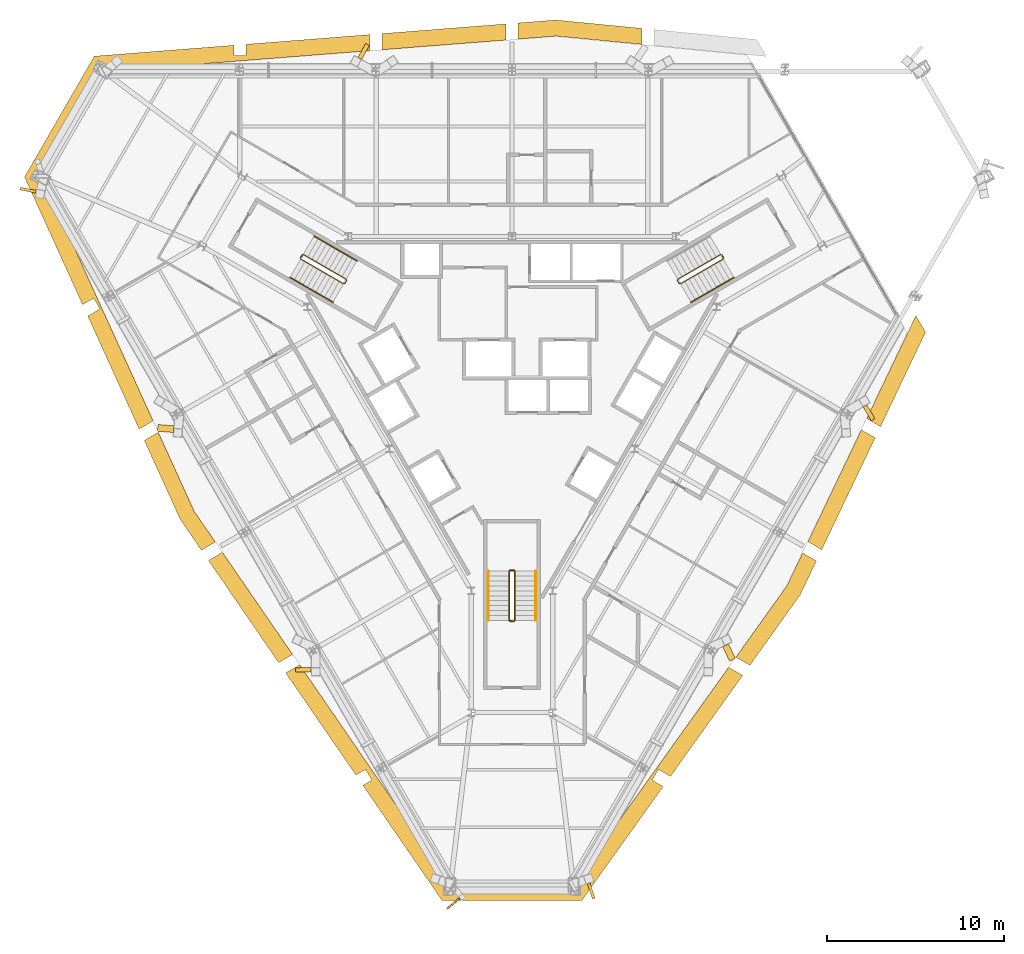
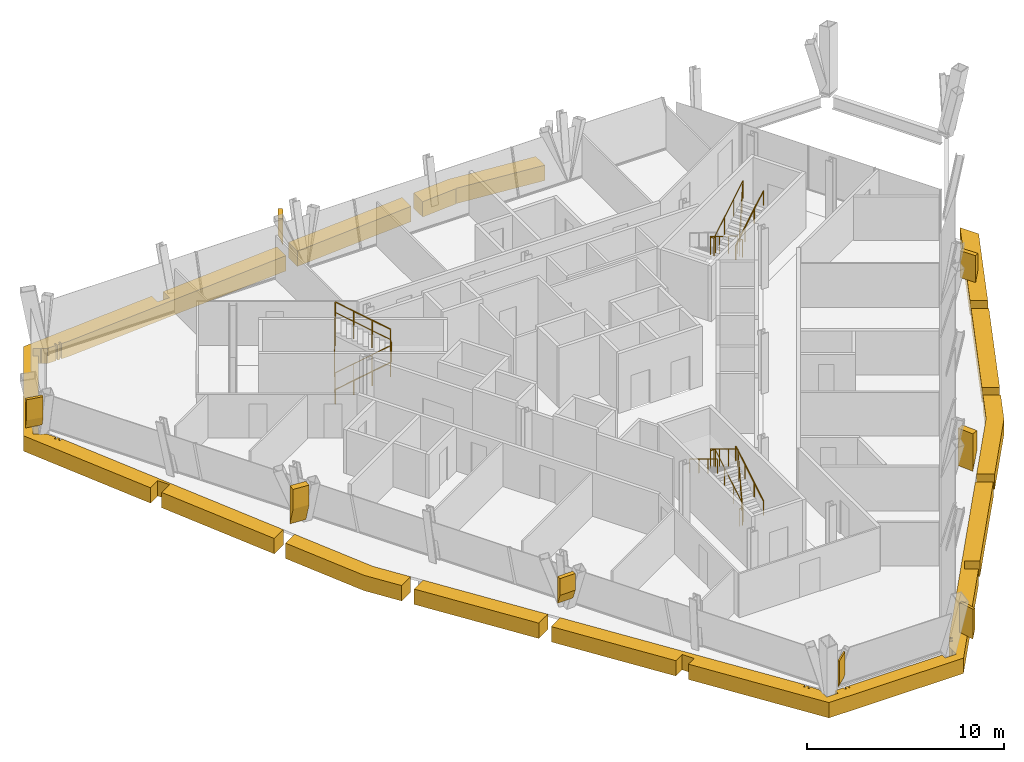
# One storey, part 11 of 12: 17 coverings, 8 railings.
"""IFC4 building model written with IfcOpenShell, lengths in metres."""

from ifc_helpers import new_model, si_unit, direction, frame, origin, origin_2d, place, context, subcontext, project, spatial, polyline, circle, outline, extrude, material, layer, layer_set, type_object, element, save


model = new_model("IFC4")

# Units and contexts
model_context = context("Model", 3, precision=1e-05, world=origin(), true_north=direction((0.0, 1.0)))
body_context = subcontext(model_context, "Body", "Model", "MODEL_VIEW")
ifc_project = project(units=[si_unit("LENGTHUNIT", "METRE"), si_unit("AREAUNIT", "SQUARE_METRE"), si_unit("VOLUMEUNIT", "CUBIC_METRE"), si_unit("PLANEANGLEUNIT", "RADIAN"), si_unit("MASSUNIT", "GRAM", prefix="KILO")], contexts=[model_context])

# Site, building, storey
site_placement = place(None, origin())
site = spatial("IfcSite", under=ifc_project, at=site_placement, CompositionType="ELEMENT")
building_placement = place(site_placement, origin())
building = spatial("IfcBuilding", under=site, at=building_placement, Name="Verrane Prism Tower", CompositionType="ELEMENT")
storey_placement = place(building_placement, frame((0.0, 0.0, 174.699951171875)))
storey = spatial("IfcBuildingStorey", under=building, at=storey_placement, Name="L43", CompositionType="ELEMENT", Elevation=174.699951171875)

# Railings
ifc_material_1 = material(Name="Steel A36 rail and posts, no infill", Category="steel")
railing_type_1 = type_object("IfcRailingType", Name="Stair guard 1100 steel rail and posts", PredefinedType="GUARDRAIL", material=ifc_material_1)
railing_1_placement = place(storey_placement, frame((11.78955078125, 6.97998046875, 0.168212890625)))
element("IfcRailing", 1, at=railing_1_placement, inside=storey, type_object=railing_type_1, Name="Stair 1 guard", PredefinedType="GUARDRAIL", context=body_context, shape_type="SweptSolid", body=[
    extrude(circle(Radius=0.02392578125, at=origin_2d()), frame((0.0, 0.0, 1.076171875), z_axis=(-0.742366697286, -0.42866220388, 0.514917859203), x_axis=(0.500049511043, -0.865996816683, 0.0)), (0.0, 0.0, 1.0), 3.266357421875),
    extrude(circle(Radius=0.02392578125, at=origin_2d()), frame((-2.4248046875, -1.400146484375, 2.7578125), z_axis=(-0.259601060869, -0.965715946433, 0.0), x_axis=(0.965715946433, -0.259601060869, 0.0)), (0.0, 0.0, 1.0), 0.070556640625),
    extrude(circle(Radius=0.02392578125, at=origin_2d()), frame((-2.443115234375, -1.46826171875, 2.7578125), z_axis=(0.499158860599, -0.866510491504, 0.0), x_axis=(0.866510491504, 0.499158860599, 0.0)), (0.0, 0.0, 1.0), 0.199951171875),
    extrude(circle(Radius=0.02392578125, at=origin_2d()), frame((-2.34326171875, -1.6416015625, 2.7578125), z_axis=(0.374585375571, -0.100335368456, 0.921747584887), x_axis=(0.258736085224, 0.965948051503, 0.0)), (0.0, 0.0, 1.0), 0.182373046875),
    extrude(circle(Radius=0.02392578125, at=origin_2d()), frame((-2.27490234375, -1.659912109375, 2.92626953125), z_axis=(0.742395268701, 0.428678701772, 0.514862928999), x_axis=(-0.500049511043, 0.865996816683, 0.0)), (0.0, 0.0, 1.0), 3.26611328125),
    extrude(circle(Radius=0.02392578125, at=origin_2d()), frame((0.14990234375, -0.259765625, 4.60791015625), z_axis=(-0.021986835041, 0.065104730107, -0.997636182785), x_axis=(-0.947430582667, -0.3199613899, 0.0)), (0.0, 0.0, 1.0), 3.708740234375),
    extrude(circle(Radius=0.02392578125, at=origin_2d()), frame((0.068359375, -0.018310546875, 0.90771484375), z_axis=(0.499158860599, -0.866510491504, 0.0), x_axis=(0.866510491504, 0.499158860599, 0.0)), (0.0, 0.0, 1.0), 0.199951171875),
    extrude(circle(Radius=0.02099609375, at=origin_2d()), origin(), (0.0, 0.0, 1.0), 1.052001953125),
    extrude(circle(Radius=0.02099609375, at=origin_2d()), frame((-0.808349609375, -0.466796875, 0.560546875)), (0.0, 0.0, 1.0), 1.052001953125),
    extrude(circle(Radius=0.02099609375, at=origin_2d()), frame((-1.616455078125, -0.933349609375, 1.121337890625)), (0.0, 0.0, 1.0), 1.052001953125),
    extrude(circle(Radius=0.02099609375, at=origin_2d()), frame((-2.4248046875, -1.400146484375, 1.681884765625)), (0.0, 0.0, 1.0), 1.052001953125),
    extrude(circle(Radius=0.02099609375, at=origin_2d()), frame((-2.443115234375, -1.46826171875, 1.681884765625)), (0.0, 0.0, 1.0), 1.052001953125),
    extrude(circle(Radius=0.02099609375, at=origin_2d()), frame((-2.34326171875, -1.6416015625, 1.681884765625)), (0.0, 0.0, 1.0), 1.052001953125),
    extrude(circle(Radius=0.02099609375, at=origin_2d()), frame((-2.27490234375, -1.659912109375, 1.85009765625)), (0.0, 0.0, 1.0), 1.052001953125),
    extrude(circle(Radius=0.02099609375, at=origin_2d()), frame((-1.466552734375, -1.193115234375, 2.41064453125)), (0.0, 0.0, 1.0), 1.052001953125),
    extrude(circle(Radius=0.02099609375, at=origin_2d()), frame((-0.658447265625, -0.7265625, 2.97119140625)), (0.0, 0.0, 1.0), 1.052001953125),
    extrude(circle(Radius=0.02099609375, at=origin_2d()), frame((0.14990234375, -0.259765625, 3.53173828125)), (0.0, 0.0, 1.0), 1.052001953125),
    extrude(circle(Radius=0.02099609375, at=origin_2d()), frame((0.12939453125, -0.199462890625, 2.606689453125)), (0.0, 0.0, 1.0), 1.052001953125),
    extrude(circle(Radius=0.02099609375, at=origin_2d()), frame((0.109130859375, -0.13916015625, 1.681640625)), (0.0, 0.0, 1.0), 1.052001953125),
    extrude(circle(Radius=0.02099609375, at=origin_2d()), frame((0.0888671875, -0.07861328125, 0.7568359375)), (0.0, 0.0, 1.0), 1.052001953125),
    extrude(circle(Radius=0.02099609375, at=origin_2d()), frame((0.068359375, -0.018310546875, -0.168212890625)), (0.0, 0.0, 1.0), 1.052001953125),
    extrude(circle(Radius=0.02099609375, at=origin_2d()), frame((0.168212890625, -0.191650390625, -0.168212890625)), (0.0, 0.0, 1.0), 1.052001953125),
])
railing_2_placement = place(storey_placement, frame((-11.939453125, 6.72021484375, 0.168212890625)))
element("IfcRailing", 2, at=railing_2_placement, inside=storey, type_object=railing_type_1, Name="Stair 2 guard", PredefinedType="GUARDRAIL", context=body_context, shape_type="SweptSolid", body=[
    extrude(circle(Radius=0.02392578125, at=origin_2d()), frame((0.0, 0.0, 1.076171875), z_axis=(0.742366697286, -0.42866220388, 0.514917859203), x_axis=(0.500049511043, 0.865996816683, 0.0)), (0.0, 0.0, 1.0), 3.266357421875),
    extrude(circle(Radius=0.02392578125, at=origin_2d()), frame((2.4248046875, -1.400146484375, 2.7578125), z_axis=(0.965948051503, 0.258736085224, 0.0), x_axis=(-0.258736085224, 0.965948051503, 0.0)), (0.0, 0.0, 1.0), 0.07080078125),
    extrude(circle(Radius=0.02392578125, at=origin_2d()), frame((2.4931640625, -1.3818359375, 2.7578125), z_axis=(0.499158860599, 0.866510491504, 0.0), x_axis=(-0.866510491504, 0.499158860599, 0.0)), (0.0, 0.0, 1.0), 0.199951171875),
    extrude(circle(Radius=0.02392578125, at=origin_2d()), frame((2.593017578125, -1.20849609375, 2.7578125), z_axis=(-0.100385596638, 0.373434419493, 0.922209014446), x_axis=(-0.965715946433, -0.259601060869, 0.0)), (0.0, 0.0, 1.0), 0.182373046875),
    extrude(circle(Radius=0.02392578125, at=origin_2d()), frame((2.57470703125, -1.140380859375, 2.92626953125), z_axis=(-0.742395268701, 0.428678701772, 0.514862928999), x_axis=(-0.500049511043, -0.865996816683, 0.0)), (0.0, 0.0, 1.0), 3.26611328125),
    extrude(circle(Radius=0.02392578125, at=origin_2d()), frame((0.14990234375, 0.259765625, 4.60791015625), z_axis=(-0.04535595117, -0.051675503147, -0.99763343973), x_axis=(0.751567565678, -0.659656118156, 0.0)), (0.0, 0.0, 1.0), 3.708740234375),
    extrude(circle(Radius=0.02392578125, at=origin_2d()), frame((-0.018310546875, 0.068115234375, 0.90771484375), z_axis=(0.499158860599, 0.866510491504, 0.0), x_axis=(-0.866510491504, 0.499158860599, 0.0)), (0.0, 0.0, 1.0), 0.199951171875),
    extrude(circle(Radius=0.02099609375, at=origin_2d()), origin(), (0.0, 0.0, 1.0), 1.052001953125),
    extrude(circle(Radius=0.02099609375, at=origin_2d()), frame((0.808349609375, -0.466796875, 0.560546875)), (0.0, 0.0, 1.0), 1.052001953125),
    extrude(circle(Radius=0.02099609375, at=origin_2d()), frame((1.616455078125, -0.933349609375, 1.121337890625)), (0.0, 0.0, 1.0), 1.052001953125),
    extrude(circle(Radius=0.02099609375, at=origin_2d()), frame((2.4248046875, -1.400146484375, 1.681884765625)), (0.0, 0.0, 1.0), 1.052001953125),
    extrude(circle(Radius=0.02099609375, at=origin_2d()), frame((2.4931640625, -1.3818359375, 1.681884765625)), (0.0, 0.0, 1.0), 1.052001953125),
    extrude(circle(Radius=0.02099609375, at=origin_2d()), frame((2.593017578125, -1.20849609375, 1.681884765625)), (0.0, 0.0, 1.0), 1.052001953125),
    extrude(circle(Radius=0.02099609375, at=origin_2d()), frame((2.57470703125, -1.140380859375, 1.85009765625)), (0.0, 0.0, 1.0), 1.052001953125),
    extrude(circle(Radius=0.02099609375, at=origin_2d()), frame((1.766357421875, -0.673583984375, 2.41064453125)), (0.0, 0.0, 1.0), 1.052001953125),
    extrude(circle(Radius=0.02099609375, at=origin_2d()), frame((0.958251953125, -0.20703125, 2.97119140625)), (0.0, 0.0, 1.0), 1.052001953125),
    extrude(circle(Radius=0.02099609375, at=origin_2d()), frame((0.14990234375, 0.259765625, 3.53173828125)), (0.0, 0.0, 1.0), 1.052001953125),
    extrude(circle(Radius=0.02099609375, at=origin_2d()), frame((0.10791015625, 0.2119140625, 2.606689453125)), (0.0, 0.0, 1.0), 1.052001953125),
    extrude(circle(Radius=0.02099609375, at=origin_2d()), frame((0.06591796875, 0.1640625, 1.681640625)), (0.0, 0.0, 1.0), 1.052001953125),
    extrude(circle(Radius=0.02099609375, at=origin_2d()), frame((0.023681640625, 0.115966796875, 0.7568359375)), (0.0, 0.0, 1.0), 1.052001953125),
    extrude(circle(Radius=0.02099609375, at=origin_2d()), frame((-0.018310546875, 0.068115234375, -0.168212890625)), (0.0, 0.0, 1.0), 1.052001953125),
    extrude(circle(Radius=0.02099609375, at=origin_2d()), frame((0.08154296875, 0.241455078125, -0.168212890625)), (0.0, 0.0, 1.0), 1.052001953125),
])
railing_3_placement = place(storey_placement, frame((0.14990234375, -13.699951171875, 0.168212890625)))
element("IfcRailing", 3, at=railing_3_placement, inside=storey, type_object=railing_type_1, Name="Stair 3 guard", PredefinedType="GUARDRAIL", context=body_context, shape_type="SweptSolid", body=[
    extrude(circle(Radius=0.02392578125, at=origin_2d()), frame((0.0, 0.0, 1.076171875), z_axis=(0.0, 0.857242210791, 0.514913383045), x_axis=(-1.0, 0.0, 0.0)), (0.0, 0.0, 1.0), 3.266357421875),
    extrude(circle(Radius=0.02392578125, at=origin_2d()), frame((0.0, 2.800048828125, 2.7578125), z_axis=(-0.707106781187, 0.707106781187, 0.0), x_axis=(-0.707106781187, -0.707106781187, 0.0)), (0.0, 0.0, 1.0), 0.0703125),
    extrude(circle(Radius=0.02392578125, at=origin_2d()), frame((-0.0498046875, 2.849853515625, 2.7578125), z_axis=(-1.0, 0.0, 0.0), x_axis=(0.0, -1.0, 0.0)), (0.0, 0.0, 1.0), 0.2001953125),
    extrude(circle(Radius=0.02392578125, at=origin_2d()), frame((-0.25, 2.849853515625, 2.7578125), z_axis=(-0.273106073848, -0.273106073848, 0.922402376869), x_axis=(0.707106781187, -0.707106781187, 0.0)), (0.0, 0.0, 1.0), 0.182373046875),
    extrude(circle(Radius=0.02392578125, at=origin_2d()), frame((-0.2998046875, 2.800048828125, 2.92626953125), z_axis=(0.0, -0.857275202839, 0.514858452973), x_axis=(1.0, 0.0, 0.0)), (0.0, 0.0, 1.0), 3.26611328125),
    extrude(circle(Radius=0.02392578125, at=origin_2d()), frame((-0.2998046875, 0.0, 4.60791015625), z_axis=(0.067408604812, -0.013494886706, -0.997634185476), x_axis=(0.196300278283, 0.98054382908, 0.0)), (0.0, 0.0, 1.0), 3.708740234375),
    extrude(circle(Radius=0.02392578125, at=origin_2d()), frame((-0.0498046875, -0.050048828125, 0.90771484375), z_axis=(-1.0, 0.0, 0.0), x_axis=(0.0, -1.0, 0.0)), (0.0, 0.0, 1.0), 0.2001953125),
    extrude(circle(Radius=0.02099609375, at=origin_2d()), origin(), (0.0, 0.0, 1.0), 1.052001953125),
    extrude(circle(Radius=0.02099609375, at=origin_2d()), frame((0.0, 0.933349609375, 0.560546875)), (0.0, 0.0, 1.0), 1.052001953125),
    extrude(circle(Radius=0.02099609375, at=origin_2d()), frame((0.0, 1.86669921875, 1.121337890625)), (0.0, 0.0, 1.0), 1.052001953125),
    extrude(circle(Radius=0.02099609375, at=origin_2d()), frame((0.0, 2.800048828125, 1.681884765625)), (0.0, 0.0, 1.0), 1.052001953125),
    extrude(circle(Radius=0.02099609375, at=origin_2d()), frame((-0.0498046875, 2.849853515625, 1.681884765625)), (0.0, 0.0, 1.0), 1.052001953125),
    extrude(circle(Radius=0.02099609375, at=origin_2d()), frame((-0.25, 2.849853515625, 1.681884765625)), (0.0, 0.0, 1.0), 1.052001953125),
    extrude(circle(Radius=0.02099609375, at=origin_2d()), frame((-0.2998046875, 2.800048828125, 1.85009765625)), (0.0, 0.0, 1.0), 1.052001953125),
    extrude(circle(Radius=0.02099609375, at=origin_2d()), frame((-0.2998046875, 1.86669921875, 2.41064453125)), (0.0, 0.0, 1.0), 1.052001953125),
    extrude(circle(Radius=0.02099609375, at=origin_2d()), frame((-0.2998046875, 0.933349609375, 2.97119140625)), (0.0, 0.0, 1.0), 1.052001953125),
    extrude(circle(Radius=0.02099609375, at=origin_2d()), frame((-0.2998046875, 0.0, 3.53173828125)), (0.0, 0.0, 1.0), 1.052001953125),
    extrude(circle(Radius=0.02099609375, at=origin_2d()), frame((-0.2373046875, -0.012451171875, 2.606689453125)), (0.0, 0.0, 1.0), 1.052001953125),
    extrude(circle(Radius=0.02099609375, at=origin_2d()), frame((-0.1748046875, -0.02490234375, 1.681640625)), (0.0, 0.0, 1.0), 1.052001953125),
    extrude(circle(Radius=0.02099609375, at=origin_2d()), frame((-0.1123046875, -0.03759765625, 0.7568359375)), (0.0, 0.0, 1.0), 1.052001953125),
    extrude(circle(Radius=0.02099609375, at=origin_2d()), frame((-0.0498046875, -0.050048828125, -0.168212890625)), (0.0, 0.0, 1.0), 1.052001953125),
    extrude(circle(Radius=0.02099609375, at=origin_2d()), frame((-0.25, -0.050048828125, -0.168212890625)), (0.0, 0.0, 1.0), 1.052001953125),
])
ifc_material_2 = material(Name="Steel A36 tube", Category="steel")
railing_type_2 = type_object("IfcRailingType", Name="Stair handrail 900 steel tube", PredefinedType="HANDRAIL", material=ifc_material_2)
railing_4_placement = place(storey_placement, frame((10.11474609375, 4.28076171875, 2.018310546875)))
element("IfcRailing", 4, at=railing_4_placement, inside=storey, type_object=railing_type_2, Name="Stair 1 handrail", PredefinedType="HANDRAIL", context=body_context, shape_type="SweptSolid", body=[
    extrude(circle(Radius=0.02392578125, at=origin_2d()), frame((0.0, 0.0, 0.8759765625), z_axis=(0.742395268701, 0.428678701772, 0.514862928999), x_axis=(-0.500049511043, 0.865996816683, 0.0)), (0.0, 0.0, 1.0), 3.26611328125),
    extrude(circle(Radius=0.02099609375, at=origin_2d()), origin(), (0.0, 0.0, 1.0), 0.851806640625),
    extrude(circle(Radius=0.02099609375, at=origin_2d()), frame((0.808349609375, 0.466796875, 0.560546875)), (0.0, 0.0, 1.0), 0.851806640625),
    extrude(circle(Radius=0.02099609375, at=origin_2d()), frame((1.616455078125, 0.933349609375, 1.12109375)), (0.0, 0.0, 1.0), 0.851806640625),
    extrude(circle(Radius=0.02099609375, at=origin_2d()), frame((2.4248046875, 1.400146484375, 1.681640625)), (0.0, 0.0, 1.0), 0.851806640625),
])
railing_5_placement = place(storey_placement, frame((-12.53955078125, 5.680908203125, 0.168212890625)))
element("IfcRailing", 5, at=railing_5_placement, inside=storey, type_object=railing_type_2, Name="Stair 2 handrail", PredefinedType="HANDRAIL", context=body_context, shape_type="SweptSolid", body=[
    extrude(circle(Radius=0.02392578125, at=origin_2d()), frame((0.0, 0.0, 0.8759765625), z_axis=(0.742366697286, -0.42866220388, 0.514917859203), x_axis=(0.500049511043, 0.865996816683, 0.0)), (0.0, 0.0, 1.0), 3.266357421875),
    extrude(circle(Radius=0.02099609375, at=origin_2d()), origin(), (0.0, 0.0, 1.0), 0.851806640625),
    extrude(circle(Radius=0.02099609375, at=origin_2d()), frame((0.808349609375, -0.466796875, 0.560546875)), (0.0, 0.0, 1.0), 0.851806640625),
    extrude(circle(Radius=0.02099609375, at=origin_2d()), frame((1.616455078125, -0.933349609375, 1.121337890625)), (0.0, 0.0, 1.0), 0.851806640625),
    extrude(circle(Radius=0.02099609375, at=origin_2d()), frame((2.4248046875, -1.400146484375, 1.681884765625)), (0.0, 0.0, 1.0), 0.851806640625),
])
railing_6_placement = place(storey_placement, frame((-8.7646484375, 6.619140625, 2.018310546875)))
element("IfcRailing", 6, at=railing_6_placement, inside=storey, type_object=railing_type_2, Name="Stair 2 handrail", PredefinedType="HANDRAIL", context=body_context, shape_type="SweptSolid", body=[
    extrude(circle(Radius=0.02392578125, at=origin_2d()), frame((0.0, 0.0, 0.8759765625), z_axis=(-0.74241905619, 0.428617687091, 0.514879426), x_axis=(-0.49998411664, -0.866034573852, 0.0)), (0.0, 0.0, 1.0), 3.26611328125),
    extrude(circle(Radius=0.02099609375, at=origin_2d()), origin(), (0.0, 0.0, 1.0), 0.851806640625),
    extrude(circle(Radius=0.02099609375, at=origin_2d()), frame((-0.808349609375, 0.466552734375, 0.560546875)), (0.0, 0.0, 1.0), 0.851806640625),
    extrude(circle(Radius=0.02099609375, at=origin_2d()), frame((-1.616455078125, 0.933349609375, 1.12109375)), (0.0, 0.0, 1.0), 0.851806640625),
    extrude(circle(Radius=0.02099609375, at=origin_2d()), frame((-2.4248046875, 1.39990234375, 1.681640625)), (0.0, 0.0, 1.0), 0.851806640625),
])
railing_7_placement = place(storey_placement, frame((1.35009765625, -13.699951171875, 0.168212890625)))
element("IfcRailing", 7, at=railing_7_placement, inside=storey, type_object=railing_type_2, Name="Stair 3 handrail", PredefinedType="HANDRAIL", context=body_context, shape_type="SweptSolid", body=[
    extrude(circle(Radius=0.02392578125, at=origin_2d()), frame((0.0, 0.0, 0.8759765625), z_axis=(0.0, 0.857242210791, 0.514913383045), x_axis=(-1.0, 0.0, 0.0)), (0.0, 0.0, 1.0), 3.266357421875),
    extrude(circle(Radius=0.02099609375, at=origin_2d()), origin(), (0.0, 0.0, 1.0), 0.851806640625),
    extrude(circle(Radius=0.02099609375, at=origin_2d()), frame((0.0, 0.933349609375, 0.560546875)), (0.0, 0.0, 1.0), 0.851806640625),
    extrude(circle(Radius=0.02099609375, at=origin_2d()), frame((0.0, 1.86669921875, 1.121337890625)), (0.0, 0.0, 1.0), 0.851806640625),
    extrude(circle(Radius=0.02099609375, at=origin_2d()), frame((0.0, 2.800048828125, 1.681884765625)), (0.0, 0.0, 1.0), 0.851806640625),
])
railing_8_placement = place(storey_placement, frame((-1.35009765625, -10.89990234375, 2.018310546875)))
element("IfcRailing", 8, at=railing_8_placement, inside=storey, type_object=railing_type_2, Name="Stair 3 handrail", PredefinedType="HANDRAIL", context=body_context, shape_type="SweptSolid", body=[
    extrude(circle(Radius=0.02392578125, at=origin_2d()), frame((0.0, 0.0, 0.8759765625), z_axis=(0.0, -0.857275202839, 0.514858452973), x_axis=(1.0, 0.0, 0.0)), (0.0, 0.0, 1.0), 3.26611328125),
    extrude(circle(Radius=0.02099609375, at=origin_2d()), origin(), (0.0, 0.0, 1.0), 0.851806640625),
    extrude(circle(Radius=0.02099609375, at=origin_2d()), frame((0.0, -0.933349609375, 0.560546875)), (0.0, 0.0, 1.0), 0.851806640625),
    extrude(circle(Radius=0.02099609375, at=origin_2d()), frame((0.0, -1.86669921875, 1.12109375)), (0.0, 0.0, 1.0), 0.851806640625),
    extrude(circle(Radius=0.02099609375, at=origin_2d()), frame((0.0, -2.800048828125, 1.681640625)), (0.0, 0.0, 1.0), 0.851806640625),
])

# Coverings
ifc_material_3 = material(Name="Warm limestone cladding", Category="masonry")
ifc_layer_1 = layer(ifc_material_3, 0.89990234375)
ifc_layer_set_1 = layer_set([ifc_layer_1], Name="Stone brace fin 900")
covering_type_1 = type_object("IfcCoveringType", Name="Stone brace fin 900", PredefinedType="CLADDING", material=ifc_layer_set_1)
covering_1_placement = place(storey_placement, frame((-8.2734375, 18.392333984375, 1.084228515625), z_axis=(0.0, 0.0, 1.0), x_axis=(-0.873147339206, 0.487456381678, 0.0)))
element("IfcCovering", 9, at=covering_1_placement, inside=storey, type_object=covering_type_1, Name="Stone brace fin N5 L43", PredefinedType="CLADDING", context=body_context, shape_type="SweptSolid", body=[
    extrude(outline(polyline([(0.239990234375, 1.665771484375), (0.0, 1.665771484375), (0.0, 0.0), (0.239990234375, 0.63037109375), (0.239990234375, 1.665771484375)])), frame((0.0, 0.449951171875, 0.0), z_axis=(0.0, -1.0, 0.0), x_axis=(1.0, 0.0, 0.0)), (0.0, 0.0, 1.0), 0.89990234375),
])
covering_2_placement = place(storey_placement, frame((-27.31298828125, 10.6884765625, 0.90185546875), z_axis=(0.0, 0.0, 1.0), x_axis=(-0.200794423708, -0.979633400517, 0.0)))
element("IfcCovering", 10, at=covering_2_placement, inside=storey, type_object=covering_type_1, Name="Stone brace fin SW1 L43", PredefinedType="CLADDING", context=body_context, shape_type="SweptSolid", body=[
    extrude(outline(polyline([(0.160400390625, 1.84814453125), (0.0, 1.84814453125), (0.0, 0.0), (0.160400390625, 0.57763671875), (0.160400390625, 1.84814453125)])), frame((0.0, 0.449951171875, 0.0), z_axis=(0.0, -1.0, 0.0), x_axis=(1.0, 0.0, 0.0)), (0.0, 0.0, 1.0), 0.89990234375),
])
covering_3_placement = place(storey_placement, frame((-19.54541015625, -2.66357421875, 0.37939453125), z_axis=(0.0, 0.0, 1.0), x_axis=(-0.081871698207, -0.99664287738, 0.0)))
element("IfcCovering", 11, at=covering_3_placement, inside=storey, type_object=covering_type_1, Name="Stone brace fin SW3 L43", PredefinedType="CLADDING", context=body_context, shape_type="SweptSolid", body=[
    extrude(outline(polyline([(0.37890625, 2.37060546875), (0.0, 2.37060546875), (0.0, 0.0), (0.37890625, 1.155517578125), (0.37890625, 2.37060546875)])), frame((0.0, 0.449951171875, 0.0), z_axis=(0.0, -1.0, 0.0), x_axis=(1.0, 0.0, 0.0)), (0.0, 0.0, 1.0), 0.89990234375),
])
covering_4_placement = place(storey_placement, frame((-11.792724609375, -16.36328125, 1.084228515625), z_axis=(0.0, 0.0, 1.0), x_axis=(0.012206618472, -0.999925496457, 0.0)))
element("IfcCovering", 12, at=covering_4_placement, inside=storey, type_object=covering_type_1, Name="Stone brace fin SW5 L43", PredefinedType="CLADDING", context=body_context, shape_type="SweptSolid", body=[
    extrude(outline(polyline([(0.239990234375, 1.665771484375), (0.0, 1.665771484375), (0.0, 0.0), (0.239990234375, 0.630126953125), (0.239990234375, 1.665771484375)])), frame((0.0, 0.449951171875, 0.0), z_axis=(0.0, -1.0, 0.0), x_axis=(1.0, 0.0, 0.0)), (0.0, 0.0, 1.0), 0.89990234375),
])
covering_5_placement = place(storey_placement, frame((4.40087890625, -29.0029296875, 0.90185546875), z_axis=(0.0, 0.0, 1.0), x_axis=(0.95033999672, 0.311213577201, 0.0)))
element("IfcCovering", 13, at=covering_5_placement, inside=storey, type_object=covering_type_1, Name="Stone brace fin SE1 L43", PredefinedType="CLADDING", context=body_context, shape_type="SweptSolid", body=[
    extrude(outline(polyline([(0.160888671875, 1.84814453125), (0.0, 1.84814453125), (0.0, 0.0), (0.160888671875, 0.57763671875), (0.160888671875, 1.84814453125)])), frame((0.0, 0.449951171875, 0.0), z_axis=(0.0, -1.0, 0.0), x_axis=(1.0, 0.0, 0.0)), (0.0, 0.0, 1.0), 0.89990234375),
])
covering_6_placement = place(storey_placement, frame((12.09912109375, -15.588134765625, 0.433349609375), z_axis=(0.0, 0.0, 1.0), x_axis=(0.903284040366, 0.429043054274, 0.0)))
element("IfcCovering", 14, at=covering_6_placement, inside=storey, type_object=covering_type_1, Name="Stone brace fin SE3 L43", PredefinedType="CLADDING", context=body_context, shape_type="SweptSolid", body=[
    extrude(outline(polyline([(0.36181640625, 2.316650390625), (0.0, 2.316650390625), (0.0, 0.0), (0.36181640625, 1.102783203125), (0.36181640625, 2.316650390625)])), frame((0.0, 0.449951171875, 0.0), z_axis=(0.0, -1.0, 0.0), x_axis=(1.0, 0.0, 0.0)), (0.0, 0.0, 1.0), 0.89990234375),
])
covering_7_placement = place(storey_placement, frame((20.065185546875, -2.0283203125, 1.0859375), z_axis=(0.0, 0.0, 1.0), x_axis=(0.859101543909, 0.511805175095, 0.0)))
element("IfcCovering", 15, at=covering_7_placement, inside=storey, type_object=covering_type_1, Name="Stone brace fin SE5 L43", PredefinedType="CLADDING", context=body_context, shape_type="SweptSolid", body=[
    extrude(outline(polyline([(0.240234375, 1.6640625), (0.0, 1.6640625), (0.0, 0.0), (0.240234375, 0.63037109375), (0.240234375, 1.6640625)])), frame((0.0, 0.449951171875, 0.0), z_axis=(0.0, -1.0, 0.0), x_axis=(1.0, 0.0, 0.0)), (0.0, 0.0, 1.0), 0.89990234375),
])
covering_8_placement = place(storey_placement, frame((-3.332763671875, -29.648681640625, 1.0712890625), z_axis=(0.0, 0.0, 1.0), x_axis=(0.65265890952, -0.757651864529, 0.0)))
element("IfcCovering", 16, at=covering_8_placement, inside=storey, type_object=covering_type_1, Name="Stone brace fin S1 L43", PredefinedType="CLADDING", context=body_context, shape_type="SweptSolid", body=[
    extrude(outline(polyline([(0.0859375, 1.6787109375), (0.0, 1.6787109375), (0.0, 0.0), (0.0859375, 0.29443359375), (0.0859375, 1.6787109375)])), frame((0.0, 0.449951171875, 0.0), z_axis=(0.0, -1.0, 0.0), x_axis=(1.0, 0.0, 0.0)), (0.0, 0.0, 1.0), 0.89990234375),
])
ifc_material_4 = material(Name="Warm limestone cladding", Category="masonry")
ifc_layer_2 = layer(ifc_material_4, 0.449951171875)
ifc_layer_set_2 = layer_set([ifc_layer_2], Name="Stone spandrel band 450")
covering_type_2 = type_object("IfcCoveringType", Name="Stone spandrel band 450", PredefinedType="CLADDING", material=ifc_layer_set_2)
covering_9_placement = place(storey_placement, frame((0.0, 0.0, -0.949951171875)))
element("IfcCovering", 17, at=covering_9_placement, inside=storey, type_object=covering_type_2, Name="Stone spandrel band L43 part 1", PredefinedType="CLADDING", context=body_context, shape_type="SweptSolid", body=[
    extrude(outline(polyline([(3.93505859375, -29.52490234375), (8.541748046875, -23.077880859375), (7.916259765625, -22.716796875), (8.26611328125, -22.110595703125), (8.95068359375, -22.505859375), (13.029296875, -16.797607421875), (12.23779296875, -16.3408203125), (4.268798828125, -27.492919921875), (4.22021484375, -27.577392578125), (4.364501953125, -27.66064453125), (4.315673828125, -27.745361328125), (4.171142578125, -27.661865234375), (4.096435546875, -27.791259765625), (4.240966796875, -27.874755859375), (4.194091796875, -27.9560546875), (4.049560546875, -27.87255859375), (3.800048828125, -28.304931640625), (3.800048828125, -28.6015625), (3.81591796875, -28.61083984375), (3.800048828125, -28.638427734375), (3.800048828125, -29.0400390625), (3.139892578125, -29.0400390625), (3.139892578125, -28.748291015625), (-2.341552734375, -28.748291015625), (-2.341552734375, -28.909912109375), (-2.3994140625, -28.909912109375), (-2.3994140625, -28.748291015625), (-2.557861328125, -28.748291015625), (-2.557861328125, -28.909912109375), (-2.649658203125, -28.909912109375), (-2.649658203125, -28.748291015625), (-3.139892578125, -28.748291015625), (-3.139892578125, -29.0400390625), (-3.800048828125, -29.0400390625), (-3.800048828125, -28.638427734375), (-3.81591796875, -28.61083984375), (-3.800048828125, -28.6015625), (-3.800048828125, -28.304931640625), (-4.049560546875, -27.87255859375), (-4.194091796875, -27.9560546875), (-4.240966796875, -27.874755859375), (-4.096435546875, -27.791259765625), (-4.171142578125, -27.661865234375), (-4.315673828125, -27.745361328125), (-4.364501953125, -27.66064453125), (-4.22021484375, -27.577392578125), (-4.432861328125, -27.208984375), (-11.994384765625, -16.2001953125), (-12.78466796875, -16.656494140625), (-8.819091796875, -22.4296875), (-8.26611328125, -22.110595703125), (-7.916259765625, -22.716796875), (-8.42138671875, -23.008544921875), (-3.94580078125, -29.52490234375), (3.93505859375, -29.52490234375)])), origin(), (0.0, 0.0, 1.0), 0.949951171875),
])
covering_10_placement = place(storey_placement, frame((0.0, 0.0, -0.949951171875)))
element("IfcCovering", 18, at=covering_10_placement, inside=storey, type_object=covering_type_2, Name="Stone spandrel band L43 part 2", PredefinedType="CLADDING", context=body_context, shape_type="SweptSolid", body=[
    extrude(outline(polyline([(-20.270263671875, -2.427978515625), (-25.94384765625, 10.049560546875), (-25.9921875, 10.13330078125), (-26.135009765625, 10.05078125), (-26.183837890625, 10.13525390625), (-26.041015625, 10.2177734375), (-26.11572265625, 10.34716796875), (-26.258544921875, 10.2646484375), (-26.3056640625, 10.345947265625), (-26.16259765625, 10.428466796875), (-26.413818359375, 10.86328125), (-26.66748046875, 11.010009765625), (-26.68359375, 11.000732421875), (-26.69970703125, 11.0283203125), (-27.04736328125, 11.229248046875), (-26.71728515625, 11.80078125), (-26.46630859375, 11.65576171875), (-26.221435546875, 12.079833984375), (-26.361083984375, 12.16015625), (-26.315185546875, 12.239501953125), (-26.175537109375, 12.1591796875), (-26.096435546875, 12.29638671875), (-26.236083984375, 12.376953125), (-26.20751953125, 12.427001953125), (-26.0673828125, 12.346435546875), (-23.328857421875, 17.08984375), (-23.58740234375, 17.2392578125), (-23.25732421875, 17.810791015625), (-22.90966796875, 17.610107421875), (-22.877685546875, 17.610107421875), (-22.877685546875, 17.591552734375), (-22.62109375, 17.443359375), (-22.12158203125, 17.443359375), (-22.12158203125, 17.610107421875), (-22.027587890625, 17.610107421875), (-22.027587890625, 17.443359375), (-21.878173828125, 17.443359375), (-21.878173828125, 17.610107421875), (-21.780517578125, 17.610107421875), (-21.780517578125, 17.443359375), (-21.34716796875, 17.443359375), (-8.03271484375, 18.4873046875), (-8.03271484375, 19.39990234375), (-15.01513671875, 18.852294921875), (-15.01513671875, 18.2119140625), (-15.715087890625, 18.2119140625), (-15.715087890625, 18.797607421875), (-23.59619140625, 18.1796875), (-27.536865234375, 11.3544921875), (-24.257080078125, 4.1416015625), (-23.626220703125, 4.505859375), (-23.276123046875, 3.899658203125), (-23.9658203125, 3.50146484375), (-21.06201171875, -2.885009765625), (-20.270263671875, -2.427978515625)])), origin(), (0.0, 0.0, 1.0), 0.949951171875),
])
covering_11_placement = place(storey_placement, frame((0.0, 0.0, -0.949951171875)))
element("IfcCovering", 19, at=covering_11_placement, inside=storey, type_object=covering_type_2, Name="Stone spandrel band L43 part 3", PredefinedType="CLADDING", context=body_context, shape_type="SweptSolid", body=[
    extrude(outline(polyline([(-17.545166015625, -9.7255859375), (-16.7548828125, -9.269287109375), (-17.9521484375, -7.52587890625), (-19.979248046875, -3.068115234375), (-20.770751953125, -3.525146484375), (-18.747314453125, -7.97509765625), (-17.545166015625, -9.7255859375)])), origin(), (0.0, 0.0, 1.0), 0.949951171875),
])
covering_12_placement = place(storey_placement, frame((0.0, 0.0, -0.949951171875)))
element("IfcCovering", 20, at=covering_12_placement, inside=storey, type_object=covering_type_2, Name="Stone spandrel band L43 part 4", PredefinedType="CLADDING", context=body_context, shape_type="SweptSolid", body=[
    extrude(outline(polyline([(-12.391845703125, -15.621337890625), (-16.357177734375, -9.847900390625), (-17.147705078125, -10.30419921875), (-13.18212890625, -16.07763671875), (-12.391845703125, -15.621337890625)])), origin(), (0.0, 0.0, 1.0), 0.949951171875),
])
covering_13_placement = place(storey_placement, frame((0.0, 0.0, -0.949951171875)))
element("IfcCovering", 21, at=covering_13_placement, inside=storey, type_object=covering_type_2, Name="Stone spandrel band L43 part 5", PredefinedType="CLADDING", context=body_context, shape_type="SweptSolid", body=[
    extrude(outline(polyline([(12.646484375, -15.7685546875), (13.438232421875, -16.2255859375), (16.280517578125, -12.248046875), (17.195068359375, -10.331787109375), (16.413330078125, -9.880615234375), (15.481201171875, -11.83349609375), (15.464111328125, -11.825439453125), (12.646484375, -15.7685546875)])), origin(), (0.0, 0.0, 1.0), 0.949951171875),
])
covering_14_placement = place(storey_placement, frame((0.0, 0.0, -0.949951171875)))
element("IfcCovering", 22, at=covering_14_placement, inside=storey, type_object=covering_type_2, Name="Stone spandrel band L43 part 6", PredefinedType="CLADDING", context=body_context, shape_type="SweptSolid", body=[
    extrude(outline(polyline([(-7.33251953125, 18.542236328125), (-0.35009765625, 19.08984375), (-0.35009765625, 20.00244140625), (-7.33251953125, 19.454833984375), (-7.33251953125, 18.542236328125)])), origin(), (0.0, 0.0, 1.0), 0.949951171875),
])
covering_15_placement = place(storey_placement, frame((0.0, 0.0, -0.949951171875)))
element("IfcCovering", 23, at=covering_15_placement, inside=storey, type_object=covering_type_2, Name="Stone spandrel band L43 part 7", PredefinedType="CLADDING", context=body_context, shape_type="SweptSolid", body=[
    extrude(outline(polyline([(16.7158203125, -9.246826171875), (17.49755859375, -9.697998046875), (20.5146484375, -3.377197265625), (19.73291015625, -2.92578125), (16.7158203125, -9.246826171875)])), origin(), (0.0, 0.0, 1.0), 0.949951171875),
])
covering_16_placement = place(storey_placement, frame((0.0, 0.0, -0.949951171875)))
element("IfcCovering", 24, at=covering_16_placement, inside=storey, type_object=covering_type_2, Name="Stone spandrel band L43 part 8", PredefinedType="CLADDING", context=body_context, shape_type="SweptSolid", body=[
    extrude(outline(polyline([(0.35009765625, 20.057373046875), (0.35009765625, 19.144775390625), (2.40771484375, 19.305908203125), (2.40966796875, 19.32470703125), (7.33251953125, 18.8466796875), (7.33251953125, 19.75048828125), (2.466796875, 20.223388671875), (0.35009765625, 20.057373046875)])), origin(), (0.0, 0.0, 1.0), 0.949951171875),
])
covering_17_placement = place(storey_placement, frame((0.0, 0.0, -0.949951171875)))
element("IfcCovering", 25, at=covering_17_placement, inside=storey, type_object=covering_type_2, Name="Stone spandrel band L43 part 9", PredefinedType="CLADDING", context=body_context, shape_type="SweptSolid", body=[
    extrude(outline(polyline([(20.035400390625, -2.292236328125), (20.817138671875, -2.74365234375), (23.361328125, 2.58642578125), (22.8154296875, 3.531982421875), (20.035400390625, -2.292236328125)])), origin(), (0.0, 0.0, 1.0), 0.949951171875),
])

save(model, "model.ifc")
